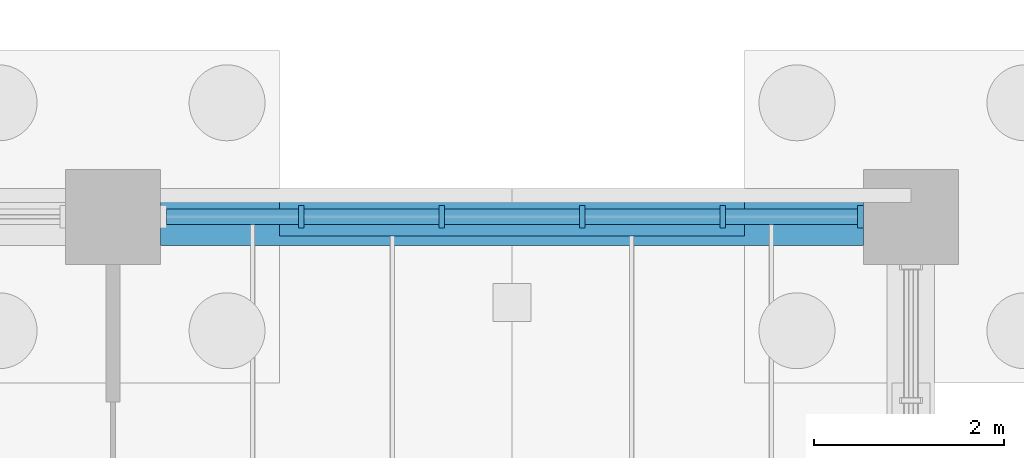
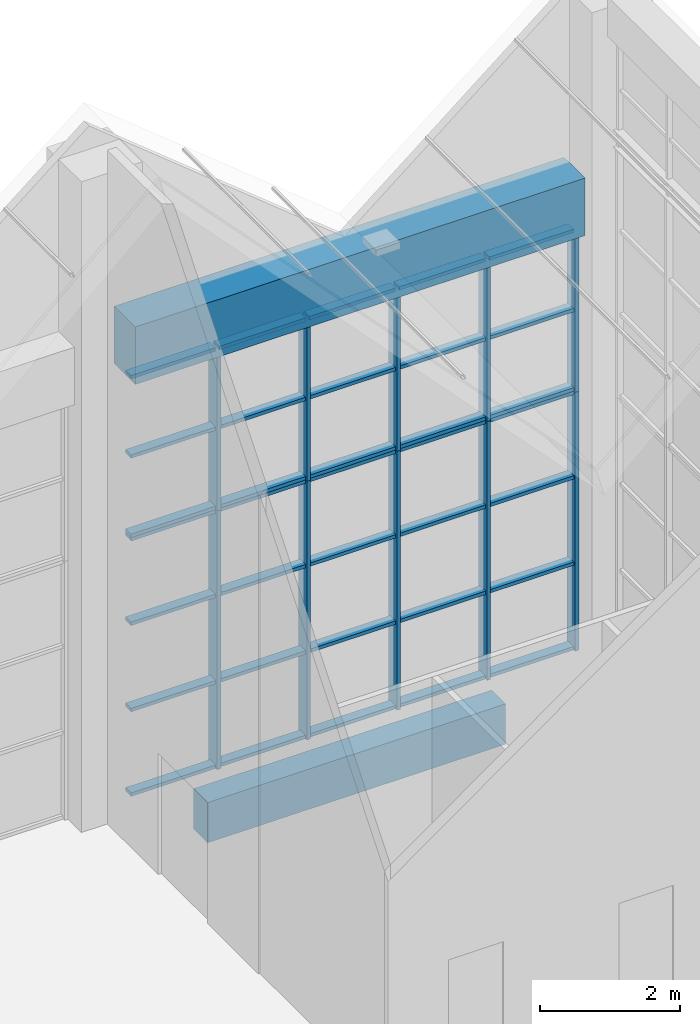
# One storey, part 58 of 138: 45 members, 2 beams, 2 elements without a shape of their own.
"""IFC4 building model written with IfcOpenShell, lengths in metres."""

from ifc_helpers import new_model, si_unit, direction, frame, origin, origin_2d, place, context, subcontext, project, spatial, rectangle, extrude, material, material_profile, profile_set, type_object, element, aggregate, save


model = new_model("IFC4")

# Units and contexts
model_context = context("Model", 3, precision=1e-05, world=origin(), true_north=direction((0.0, 1.0)))
body_context = subcontext(model_context, "Body", "Model", "MODEL_VIEW")
ifc_project = project(units=[si_unit("LENGTHUNIT", "METRE"), si_unit("AREAUNIT", "SQUARE_METRE"), si_unit("VOLUMEUNIT", "CUBIC_METRE"), si_unit("PLANEANGLEUNIT", "RADIAN"), si_unit("MASSUNIT", "GRAM", prefix="KILO")], contexts=[model_context])

# Site, building, storey
site_placement = place(None, origin())
site = spatial("IfcSite", under=ifc_project, at=site_placement, CompositionType="ELEMENT")
building_placement = place(site_placement, origin())
building = spatial("IfcBuilding", under=site, at=building_placement, Name="Yavir Park General Hospital", CompositionType="ELEMENT")
storey_placement = place(building_placement, origin())
storey = spatial("IfcBuildingStorey", under=building, at=storey_placement, Name="L00", CompositionType="ELEMENT", Elevation=0.0)

# Curtain wall, members
ifc_material_1 = material(Name="Aluminium curtain wall frame with insulated glazing", Category="aluminium")
curtain_wall_type_1 = type_object("IfcCurtainWallType", Name="Main hall glazing, lower band, 4500 high, 1400 module", PredefinedType="NOTDEFINED", material=ifc_material_1)
curtain_wall_1_placement = place(storey_placement, origin())
curtain_wall_1 = element("IfcCurtainWall", 1, at=curtain_wall_1_placement, inside=storey, type_object=curtain_wall_type_1, Name="CW33 L00-031", PredefinedType="NOTDEFINED")
ifc_material_2 = material(Name="Aluminium", Category="aluminium")
ifc_material_profile_1 = material_profile(ifc_material_2, rectangle(XDim=0.239990234375, YDim=0.06005859375, at=origin_2d()), Name="AL 60x240")
ifc_profile_set_1 = profile_set([ifc_material_profile_1], Name="Aluminium")
member_type_1 = type_object("IfcMemberType", Name="Main hall glazing, lower band, 4500 high mullion 60 x 240", PredefinedType="MULLION", material=ifc_profile_set_1)
member_1_placement = place(storey_placement, frame((102.780029296875, 67.199951171875, 0.0), z_axis=(0.0, 0.0, 1.0), x_axis=(0.0, 1.0, 0.0)))
member_1 = element("IfcMember", 2, at=member_1_placement, type_object=member_type_1, Name="CW33 mullion 2", PredefinedType="MULLION", context=body_context, shape_type="SweptSolid", body=[
    extrude(rectangle(XDim=0.239990234375, YDim=0.06005859375, at=origin_2d()), origin(), (0.0, 0.0, 1.0), 4.5),
])
member_2_placement = place(storey_placement, frame((104.260009765625, 67.199951171875, 0.0), z_axis=(0.0, 0.0, 1.0), x_axis=(0.0, 1.0, 0.0)))
member_2 = element("IfcMember", 3, at=member_2_placement, type_object=member_type_1, Name="CW33 mullion 3", PredefinedType="MULLION", context=body_context, shape_type="SweptSolid", body=[
    extrude(rectangle(XDim=0.239990234375, YDim=0.06005859375, at=origin_2d()), origin(), (0.0, 0.0, 1.0), 4.5),
])
member_3_placement = place(storey_placement, frame((105.739990234375, 67.199951171875, 0.0), z_axis=(0.0, 0.0, 1.0), x_axis=(0.0, 1.0, 0.0)))
member_3 = element("IfcMember", 4, at=member_3_placement, type_object=member_type_1, Name="CW33 mullion 4", PredefinedType="MULLION", context=body_context, shape_type="SweptSolid", body=[
    extrude(rectangle(XDim=0.239990234375, YDim=0.06005859375, at=origin_2d()), origin(), (0.0, 0.0, 1.0), 4.5),
])
member_4_placement = place(storey_placement, frame((107.219970703125, 67.199951171875, 0.0), z_axis=(0.0, 0.0, 1.0), x_axis=(0.0, 1.0, 0.0)))
member_4 = element("IfcMember", 5, at=member_4_placement, type_object=member_type_1, Name="CW33 mullion 5", PredefinedType="MULLION", context=body_context, shape_type="SweptSolid", body=[
    extrude(rectangle(XDim=0.239990234375, YDim=0.06005859375, at=origin_2d()), origin(), (0.0, 0.0, 1.0), 4.5),
])
member_5_placement = place(storey_placement, frame((108.669921875, 67.199951171875, 0.0), z_axis=(0.0, 0.0, 1.0), x_axis=(0.0, 1.0, 0.0)))
member_5 = element("IfcMember", 6, at=member_5_placement, type_object=member_type_1, Name="CW33 mullion 6", PredefinedType="MULLION", context=body_context, shape_type="SweptSolid", body=[
    extrude(rectangle(XDim=0.239990234375, YDim=0.06005859375, at=origin_2d()), origin(), (0.0, 0.0, 1.0), 4.5),
])
ifc_material_3 = material(Name="Aluminium", Category="aluminium")
ifc_material_profile_2 = material_profile(ifc_material_3, rectangle(XDim=0.159912109375, YDim=0.06005859375, at=origin_2d()), Name="AL 160x60")
ifc_profile_set_2 = profile_set([ifc_material_profile_2], Name="Aluminium")
member_type_2 = type_object("IfcMemberType", Name="Main hall glazing, lower band, 4500 high transom 60 x 160", PredefinedType="MULLION", material=ifc_profile_set_2)
member_6_placement = place(storey_placement, frame((101.360107421875, 67.199951171875, 0.030029296875), z_axis=(1.0, 0.0, 0.0), x_axis=(0.0, 1.0, 0.0)))
member_6 = element("IfcMember", 7, at=member_6_placement, type_object=member_type_2, Name="CW33 transom 1.1", PredefinedType="MULLION", context=body_context, shape_type="SweptSolid", body=[
    extrude(rectangle(XDim=0.159912109375, YDim=0.06005859375, at=origin_2d()), origin(), (0.0, 0.0, 1.0), 1.389892578125),
])
member_7_placement = place(storey_placement, frame((101.360107421875, 67.199951171875, 1.5), z_axis=(1.0, 0.0, 0.0), x_axis=(0.0, 1.0, 0.0)))
member_7 = element("IfcMember", 8, at=member_7_placement, type_object=member_type_2, Name="CW33 transom 1.2", PredefinedType="MULLION", context=body_context, shape_type="SweptSolid", body=[
    extrude(rectangle(XDim=0.159912109375, YDim=0.06005859375, at=origin_2d()), origin(), (0.0, 0.0, 1.0), 1.389892578125),
])
member_8_placement = place(storey_placement, frame((101.360107421875, 67.199951171875, 3.0), z_axis=(1.0, 0.0, 0.0), x_axis=(0.0, 1.0, 0.0)))
member_8 = element("IfcMember", 9, at=member_8_placement, type_object=member_type_2, Name="CW33 transom 1.3", PredefinedType="MULLION", context=body_context, shape_type="SweptSolid", body=[
    extrude(rectangle(XDim=0.159912109375, YDim=0.06005859375, at=origin_2d()), origin(), (0.0, 0.0, 1.0), 1.389892578125),
])
member_9_placement = place(storey_placement, frame((101.360107421875, 67.199951171875, 4.469970703125), z_axis=(1.0, 0.0, 0.0), x_axis=(0.0, 1.0, 0.0)))
member_9 = element("IfcMember", 10, at=member_9_placement, type_object=member_type_2, Name="CW33 transom 1.4", PredefinedType="MULLION", context=body_context, shape_type="SweptSolid", body=[
    extrude(rectangle(XDim=0.159912109375, YDim=0.06005859375, at=origin_2d()), origin(), (0.0, 0.0, 1.0), 1.389892578125),
])
member_10_placement = place(storey_placement, frame((102.81005859375, 67.199951171875, 0.030029296875), z_axis=(1.0, 0.0, 0.0), x_axis=(0.0, 1.0, 0.0)))
member_10 = element("IfcMember", 11, at=member_10_placement, type_object=member_type_2, Name="CW33 transom 2.1", PredefinedType="MULLION", context=body_context, shape_type="SweptSolid", body=[
    extrude(rectangle(XDim=0.159912109375, YDim=0.06005859375, at=origin_2d()), origin(), (0.0, 0.0, 1.0), 1.419921875),
])
member_11_placement = place(storey_placement, frame((102.81005859375, 67.199951171875, 1.5), z_axis=(1.0, 0.0, 0.0), x_axis=(0.0, 1.0, 0.0)))
member_11 = element("IfcMember", 12, at=member_11_placement, type_object=member_type_2, Name="CW33 transom 2.2", PredefinedType="MULLION", context=body_context, shape_type="SweptSolid", body=[
    extrude(rectangle(XDim=0.159912109375, YDim=0.06005859375, at=origin_2d()), origin(), (0.0, 0.0, 1.0), 1.419921875),
])
member_12_placement = place(storey_placement, frame((102.81005859375, 67.199951171875, 3.0), z_axis=(1.0, 0.0, 0.0), x_axis=(0.0, 1.0, 0.0)))
member_12 = element("IfcMember", 13, at=member_12_placement, type_object=member_type_2, Name="CW33 transom 2.3", PredefinedType="MULLION", context=body_context, shape_type="SweptSolid", body=[
    extrude(rectangle(XDim=0.159912109375, YDim=0.06005859375, at=origin_2d()), origin(), (0.0, 0.0, 1.0), 1.419921875),
])
member_13_placement = place(storey_placement, frame((102.81005859375, 67.199951171875, 4.469970703125), z_axis=(1.0, 0.0, 0.0), x_axis=(0.0, 1.0, 0.0)))
member_13 = element("IfcMember", 14, at=member_13_placement, type_object=member_type_2, Name="CW33 transom 2.4", PredefinedType="MULLION", context=body_context, shape_type="SweptSolid", body=[
    extrude(rectangle(XDim=0.159912109375, YDim=0.06005859375, at=origin_2d()), origin(), (0.0, 0.0, 1.0), 1.419921875),
])
member_14_placement = place(storey_placement, frame((104.2900390625, 67.199951171875, 0.030029296875), z_axis=(1.0, 0.0, 0.0), x_axis=(0.0, 1.0, 0.0)))
member_14 = element("IfcMember", 15, at=member_14_placement, type_object=member_type_2, Name="CW33 transom 3.1", PredefinedType="MULLION", context=body_context, shape_type="SweptSolid", body=[
    extrude(rectangle(XDim=0.159912109375, YDim=0.06005859375, at=origin_2d()), origin(), (0.0, 0.0, 1.0), 1.419921875),
])
member_15_placement = place(storey_placement, frame((104.2900390625, 67.199951171875, 1.5), z_axis=(1.0, 0.0, 0.0), x_axis=(0.0, 1.0, 0.0)))
member_15 = element("IfcMember", 16, at=member_15_placement, type_object=member_type_2, Name="CW33 transom 3.2", PredefinedType="MULLION", context=body_context, shape_type="SweptSolid", body=[
    extrude(rectangle(XDim=0.159912109375, YDim=0.06005859375, at=origin_2d()), origin(), (0.0, 0.0, 1.0), 1.419921875),
])
member_16_placement = place(storey_placement, frame((104.2900390625, 67.199951171875, 3.0), z_axis=(1.0, 0.0, 0.0), x_axis=(0.0, 1.0, 0.0)))
member_16 = element("IfcMember", 17, at=member_16_placement, type_object=member_type_2, Name="CW33 transom 3.3", PredefinedType="MULLION", context=body_context, shape_type="SweptSolid", body=[
    extrude(rectangle(XDim=0.159912109375, YDim=0.06005859375, at=origin_2d()), origin(), (0.0, 0.0, 1.0), 1.419921875),
])
member_17_placement = place(storey_placement, frame((104.2900390625, 67.199951171875, 4.469970703125), z_axis=(1.0, 0.0, 0.0), x_axis=(0.0, 1.0, 0.0)))
member_17 = element("IfcMember", 18, at=member_17_placement, type_object=member_type_2, Name="CW33 transom 3.4", PredefinedType="MULLION", context=body_context, shape_type="SweptSolid", body=[
    extrude(rectangle(XDim=0.159912109375, YDim=0.06005859375, at=origin_2d()), origin(), (0.0, 0.0, 1.0), 1.419921875),
])
member_18_placement = place(storey_placement, frame((105.77001953125, 67.199951171875, 0.030029296875), z_axis=(1.0, 0.0, 0.0), x_axis=(0.0, 1.0, 0.0)))
member_18 = element("IfcMember", 19, at=member_18_placement, type_object=member_type_2, Name="CW33 transom 4.1", PredefinedType="MULLION", context=body_context, shape_type="SweptSolid", body=[
    extrude(rectangle(XDim=0.159912109375, YDim=0.06005859375, at=origin_2d()), origin(), (0.0, 0.0, 1.0), 1.419921875),
])
member_19_placement = place(storey_placement, frame((105.77001953125, 67.199951171875, 1.5), z_axis=(1.0, 0.0, 0.0), x_axis=(0.0, 1.0, 0.0)))
member_19 = element("IfcMember", 20, at=member_19_placement, type_object=member_type_2, Name="CW33 transom 4.2", PredefinedType="MULLION", context=body_context, shape_type="SweptSolid", body=[
    extrude(rectangle(XDim=0.159912109375, YDim=0.06005859375, at=origin_2d()), origin(), (0.0, 0.0, 1.0), 1.419921875),
])
member_20_placement = place(storey_placement, frame((105.77001953125, 67.199951171875, 3.0), z_axis=(1.0, 0.0, 0.0), x_axis=(0.0, 1.0, 0.0)))
member_20 = element("IfcMember", 21, at=member_20_placement, type_object=member_type_2, Name="CW33 transom 4.3", PredefinedType="MULLION", context=body_context, shape_type="SweptSolid", body=[
    extrude(rectangle(XDim=0.159912109375, YDim=0.06005859375, at=origin_2d()), origin(), (0.0, 0.0, 1.0), 1.419921875),
])
member_21_placement = place(storey_placement, frame((105.77001953125, 67.199951171875, 4.469970703125), z_axis=(1.0, 0.0, 0.0), x_axis=(0.0, 1.0, 0.0)))
member_21 = element("IfcMember", 22, at=member_21_placement, type_object=member_type_2, Name="CW33 transom 4.4", PredefinedType="MULLION", context=body_context, shape_type="SweptSolid", body=[
    extrude(rectangle(XDim=0.159912109375, YDim=0.06005859375, at=origin_2d()), origin(), (0.0, 0.0, 1.0), 1.419921875),
])
member_22_placement = place(storey_placement, frame((107.25, 67.199951171875, 0.030029296875), z_axis=(1.0, 0.0, 0.0), x_axis=(0.0, 1.0, 0.0)))
member_22 = element("IfcMember", 23, at=member_22_placement, type_object=member_type_2, Name="CW33 transom 5.1", PredefinedType="MULLION", context=body_context, shape_type="SweptSolid", body=[
    extrude(rectangle(XDim=0.159912109375, YDim=0.06005859375, at=origin_2d()), origin(), (0.0, 0.0, 1.0), 1.389892578125),
])
member_23_placement = place(storey_placement, frame((107.25, 67.199951171875, 1.5), z_axis=(1.0, 0.0, 0.0), x_axis=(0.0, 1.0, 0.0)))
member_23 = element("IfcMember", 24, at=member_23_placement, type_object=member_type_2, Name="CW33 transom 5.2", PredefinedType="MULLION", context=body_context, shape_type="SweptSolid", body=[
    extrude(rectangle(XDim=0.159912109375, YDim=0.06005859375, at=origin_2d()), origin(), (0.0, 0.0, 1.0), 1.389892578125),
])
member_24_placement = place(storey_placement, frame((107.25, 67.199951171875, 3.0), z_axis=(1.0, 0.0, 0.0), x_axis=(0.0, 1.0, 0.0)))
member_24 = element("IfcMember", 25, at=member_24_placement, type_object=member_type_2, Name="CW33 transom 5.3", PredefinedType="MULLION", context=body_context, shape_type="SweptSolid", body=[
    extrude(rectangle(XDim=0.159912109375, YDim=0.06005859375, at=origin_2d()), origin(), (0.0, 0.0, 1.0), 1.389892578125),
])
member_25_placement = place(storey_placement, frame((107.25, 67.199951171875, 4.469970703125), z_axis=(1.0, 0.0, 0.0), x_axis=(0.0, 1.0, 0.0)))
member_25 = element("IfcMember", 26, at=member_25_placement, type_object=member_type_2, Name="CW33 transom 5.4", PredefinedType="MULLION", context=body_context, shape_type="SweptSolid", body=[
    extrude(rectangle(XDim=0.159912109375, YDim=0.06005859375, at=origin_2d()), origin(), (0.0, 0.0, 1.0), 1.389892578125),
])
aggregate(curtain_wall_1, [member_1, member_2, member_3, member_4, member_5, member_6, member_7, member_8, member_9, member_10, member_11, member_12, member_13, member_14, member_15, member_16, member_17, member_18, member_19, member_20, member_21, member_22, member_23, member_24, member_25])

ifc_material_4 = material(Name="Aluminium curtain wall frame with insulated glazing", Category="aluminium")
curtain_wall_type_2 = type_object("IfcCurtainWallType", Name="Main hall glazing, upper band, 2817 high, 1400 module", PredefinedType="NOTDEFINED", material=ifc_material_4)
curtain_wall_2_placement = place(storey_placement, origin())
curtain_wall_2 = element("IfcCurtainWall", 27, at=curtain_wall_2_placement, inside=storey, type_object=curtain_wall_type_2, Name="CW34 L00-032", PredefinedType="NOTDEFINED")
ifc_material_5 = material(Name="Aluminium", Category="aluminium")
ifc_material_profile_3 = material_profile(ifc_material_5, rectangle(XDim=0.239990234375, YDim=0.06005859375, at=origin_2d()), Name="AL 60x240")
ifc_profile_set_3 = profile_set([ifc_material_profile_3], Name="Aluminium")
member_type_3 = type_object("IfcMemberType", Name="Main hall glazing, upper band, 2817 high mullion 60 x 240", PredefinedType="MULLION", material=ifc_profile_set_3)
member_26_placement = place(storey_placement, frame((102.780029296875, 67.199951171875, 4.5), z_axis=(0.0, 0.0, 1.0), x_axis=(0.0, 1.0, 0.0)))
member_26 = element("IfcMember", 28, at=member_26_placement, type_object=member_type_3, Name="CW34 mullion 2", PredefinedType="MULLION", context=body_context, shape_type="SweptSolid", body=[
    extrude(rectangle(XDim=0.239990234375, YDim=0.06005859375, at=origin_2d()), origin(), (0.0, 0.0, 1.0), 2.81689453125),
])
member_27_placement = place(storey_placement, frame((104.260009765625, 67.199951171875, 4.5), z_axis=(0.0, 0.0, 1.0), x_axis=(0.0, 1.0, 0.0)))
member_27 = element("IfcMember", 29, at=member_27_placement, type_object=member_type_3, Name="CW34 mullion 3", PredefinedType="MULLION", context=body_context, shape_type="SweptSolid", body=[
    extrude(rectangle(XDim=0.239990234375, YDim=0.06005859375, at=origin_2d()), origin(), (0.0, 0.0, 1.0), 2.81689453125),
])
member_28_placement = place(storey_placement, frame((105.739990234375, 67.199951171875, 4.5), z_axis=(0.0, 0.0, 1.0), x_axis=(0.0, 1.0, 0.0)))
member_28 = element("IfcMember", 30, at=member_28_placement, type_object=member_type_3, Name="CW34 mullion 4", PredefinedType="MULLION", context=body_context, shape_type="SweptSolid", body=[
    extrude(rectangle(XDim=0.239990234375, YDim=0.06005859375, at=origin_2d()), origin(), (0.0, 0.0, 1.0), 2.81689453125),
])
member_29_placement = place(storey_placement, frame((107.219970703125, 67.199951171875, 4.5), z_axis=(0.0, 0.0, 1.0), x_axis=(0.0, 1.0, 0.0)))
member_29 = element("IfcMember", 31, at=member_29_placement, type_object=member_type_3, Name="CW34 mullion 5", PredefinedType="MULLION", context=body_context, shape_type="SweptSolid", body=[
    extrude(rectangle(XDim=0.239990234375, YDim=0.06005859375, at=origin_2d()), origin(), (0.0, 0.0, 1.0), 2.81689453125),
])
member_30_placement = place(storey_placement, frame((108.669921875, 67.199951171875, 4.5), z_axis=(0.0, 0.0, 1.0), x_axis=(0.0, 1.0, 0.0)))
member_30 = element("IfcMember", 32, at=member_30_placement, type_object=member_type_3, Name="CW34 mullion 6", PredefinedType="MULLION", context=body_context, shape_type="SweptSolid", body=[
    extrude(rectangle(XDim=0.239990234375, YDim=0.06005859375, at=origin_2d()), origin(), (0.0, 0.0, 1.0), 2.81689453125),
])
ifc_material_6 = material(Name="Aluminium", Category="aluminium")
ifc_material_profile_4 = material_profile(ifc_material_6, rectangle(XDim=0.159912109375, YDim=0.06005859375, at=origin_2d()), Name="AL 160x60")
ifc_profile_set_4 = profile_set([ifc_material_profile_4], Name="Aluminium")
member_type_4 = type_object("IfcMemberType", Name="Main hall glazing, upper band, 2817 high transom 60 x 160", PredefinedType="MULLION", material=ifc_profile_set_4)
member_31_placement = place(storey_placement, frame((101.360107421875, 67.199951171875, 4.530029296875), z_axis=(1.0, 0.0, 0.0), x_axis=(0.0, 1.0, 0.0)))
member_31 = element("IfcMember", 33, at=member_31_placement, type_object=member_type_4, Name="CW34 transom 1.1", PredefinedType="MULLION", context=body_context, shape_type="SweptSolid", body=[
    extrude(rectangle(XDim=0.159912109375, YDim=0.06005859375, at=origin_2d()), origin(), (0.0, 0.0, 1.0), 1.389892578125),
])
member_32_placement = place(storey_placement, frame((101.360107421875, 67.199951171875, 5.908447265625), z_axis=(1.0, 0.0, 0.0), x_axis=(0.0, 1.0, 0.0)))
member_32 = element("IfcMember", 34, at=member_32_placement, type_object=member_type_4, Name="CW34 transom 1.2", PredefinedType="MULLION", context=body_context, shape_type="SweptSolid", body=[
    extrude(rectangle(XDim=0.159912109375, YDim=0.06005859375, at=origin_2d()), origin(), (0.0, 0.0, 1.0), 1.389892578125),
])
member_33_placement = place(storey_placement, frame((101.360107421875, 67.199951171875, 7.287109375), z_axis=(1.0, 0.0, 0.0), x_axis=(0.0, 1.0, 0.0)))
member_33 = element("IfcMember", 35, at=member_33_placement, type_object=member_type_4, Name="CW34 transom 1.3", PredefinedType="MULLION", context=body_context, shape_type="SweptSolid", body=[
    extrude(rectangle(XDim=0.159912109375, YDim=0.06005859375, at=origin_2d()), origin(), (0.0, 0.0, 1.0), 1.389892578125),
])
member_34_placement = place(storey_placement, frame((102.81005859375, 67.199951171875, 4.530029296875), z_axis=(1.0, 0.0, 0.0), x_axis=(0.0, 1.0, 0.0)))
member_34 = element("IfcMember", 36, at=member_34_placement, type_object=member_type_4, Name="CW34 transom 2.1", PredefinedType="MULLION", context=body_context, shape_type="SweptSolid", body=[
    extrude(rectangle(XDim=0.159912109375, YDim=0.06005859375, at=origin_2d()), origin(), (0.0, 0.0, 1.0), 1.419921875),
])
member_35_placement = place(storey_placement, frame((102.81005859375, 67.199951171875, 5.908447265625), z_axis=(1.0, 0.0, 0.0), x_axis=(0.0, 1.0, 0.0)))
member_35 = element("IfcMember", 37, at=member_35_placement, type_object=member_type_4, Name="CW34 transom 2.2", PredefinedType="MULLION", context=body_context, shape_type="SweptSolid", body=[
    extrude(rectangle(XDim=0.159912109375, YDim=0.06005859375, at=origin_2d()), origin(), (0.0, 0.0, 1.0), 1.419921875),
])
member_36_placement = place(storey_placement, frame((102.81005859375, 67.199951171875, 7.287109375), z_axis=(1.0, 0.0, 0.0), x_axis=(0.0, 1.0, 0.0)))
member_36 = element("IfcMember", 38, at=member_36_placement, type_object=member_type_4, Name="CW34 transom 2.3", PredefinedType="MULLION", context=body_context, shape_type="SweptSolid", body=[
    extrude(rectangle(XDim=0.159912109375, YDim=0.06005859375, at=origin_2d()), origin(), (0.0, 0.0, 1.0), 1.419921875),
])
member_37_placement = place(storey_placement, frame((104.2900390625, 67.199951171875, 4.530029296875), z_axis=(1.0, 0.0, 0.0), x_axis=(0.0, 1.0, 0.0)))
member_37 = element("IfcMember", 39, at=member_37_placement, type_object=member_type_4, Name="CW34 transom 3.1", PredefinedType="MULLION", context=body_context, shape_type="SweptSolid", body=[
    extrude(rectangle(XDim=0.159912109375, YDim=0.06005859375, at=origin_2d()), origin(), (0.0, 0.0, 1.0), 1.419921875),
])
member_38_placement = place(storey_placement, frame((104.2900390625, 67.199951171875, 5.908447265625), z_axis=(1.0, 0.0, 0.0), x_axis=(0.0, 1.0, 0.0)))
member_38 = element("IfcMember", 40, at=member_38_placement, type_object=member_type_4, Name="CW34 transom 3.2", PredefinedType="MULLION", context=body_context, shape_type="SweptSolid", body=[
    extrude(rectangle(XDim=0.159912109375, YDim=0.06005859375, at=origin_2d()), origin(), (0.0, 0.0, 1.0), 1.419921875),
])
member_39_placement = place(storey_placement, frame((104.2900390625, 67.199951171875, 7.287109375), z_axis=(1.0, 0.0, 0.0), x_axis=(0.0, 1.0, 0.0)))
member_39 = element("IfcMember", 41, at=member_39_placement, type_object=member_type_4, Name="CW34 transom 3.3", PredefinedType="MULLION", context=body_context, shape_type="SweptSolid", body=[
    extrude(rectangle(XDim=0.159912109375, YDim=0.06005859375, at=origin_2d()), origin(), (0.0, 0.0, 1.0), 1.419921875),
])
member_40_placement = place(storey_placement, frame((105.77001953125, 67.199951171875, 4.530029296875), z_axis=(1.0, 0.0, 0.0), x_axis=(0.0, 1.0, 0.0)))
member_40 = element("IfcMember", 42, at=member_40_placement, type_object=member_type_4, Name="CW34 transom 4.1", PredefinedType="MULLION", context=body_context, shape_type="SweptSolid", body=[
    extrude(rectangle(XDim=0.159912109375, YDim=0.06005859375, at=origin_2d()), origin(), (0.0, 0.0, 1.0), 1.419921875),
])
member_41_placement = place(storey_placement, frame((105.77001953125, 67.199951171875, 5.908447265625), z_axis=(1.0, 0.0, 0.0), x_axis=(0.0, 1.0, 0.0)))
member_41 = element("IfcMember", 43, at=member_41_placement, type_object=member_type_4, Name="CW34 transom 4.2", PredefinedType="MULLION", context=body_context, shape_type="SweptSolid", body=[
    extrude(rectangle(XDim=0.159912109375, YDim=0.06005859375, at=origin_2d()), origin(), (0.0, 0.0, 1.0), 1.419921875),
])
member_42_placement = place(storey_placement, frame((105.77001953125, 67.199951171875, 7.287109375), z_axis=(1.0, 0.0, 0.0), x_axis=(0.0, 1.0, 0.0)))
member_42 = element("IfcMember", 44, at=member_42_placement, type_object=member_type_4, Name="CW34 transom 4.3", PredefinedType="MULLION", context=body_context, shape_type="SweptSolid", body=[
    extrude(rectangle(XDim=0.159912109375, YDim=0.06005859375, at=origin_2d()), origin(), (0.0, 0.0, 1.0), 1.419921875),
])
member_43_placement = place(storey_placement, frame((107.25, 67.199951171875, 4.530029296875), z_axis=(1.0, 0.0, 0.0), x_axis=(0.0, 1.0, 0.0)))
member_43 = element("IfcMember", 45, at=member_43_placement, type_object=member_type_4, Name="CW34 transom 5.1", PredefinedType="MULLION", context=body_context, shape_type="SweptSolid", body=[
    extrude(rectangle(XDim=0.159912109375, YDim=0.06005859375, at=origin_2d()), origin(), (0.0, 0.0, 1.0), 1.389892578125),
])
member_44_placement = place(storey_placement, frame((107.25, 67.199951171875, 5.908447265625), z_axis=(1.0, 0.0, 0.0), x_axis=(0.0, 1.0, 0.0)))
member_44 = element("IfcMember", 46, at=member_44_placement, type_object=member_type_4, Name="CW34 transom 5.2", PredefinedType="MULLION", context=body_context, shape_type="SweptSolid", body=[
    extrude(rectangle(XDim=0.159912109375, YDim=0.06005859375, at=origin_2d()), origin(), (0.0, 0.0, 1.0), 1.389892578125),
])
member_45_placement = place(storey_placement, frame((107.25, 67.199951171875, 7.287109375), z_axis=(1.0, 0.0, 0.0), x_axis=(0.0, 1.0, 0.0)))
member_45 = element("IfcMember", 47, at=member_45_placement, type_object=member_type_4, Name="CW34 transom 5.3", PredefinedType="MULLION", context=body_context, shape_type="SweptSolid", body=[
    extrude(rectangle(XDim=0.159912109375, YDim=0.06005859375, at=origin_2d()), origin(), (0.0, 0.0, 1.0), 1.389892578125),
])
aggregate(curtain_wall_2, [member_26, member_27, member_28, member_29, member_30, member_31, member_32, member_33, member_34, member_35, member_36, member_37, member_38, member_39, member_40, member_41, member_42, member_43, member_44, member_45])

# Beams
ifc_material_7 = material(Name="Concrete C35/45", Category="concrete")
ifc_material_profile_5 = material_profile(ifc_material_7, rectangle(XDim=0.39990234375, YDim=0.699951171875, at=origin_2d()), Name="RC400x700")
ifc_profile_set_5 = profile_set([ifc_material_profile_5], Name="Concrete C35/45")
beam_type_1 = type_object("IfcBeamType", Name="RC BEAM 400x700 ground beam", PredefinedType="BEAM", material=ifc_profile_set_5)
beam_1_placement = place(storey_placement, frame((102.550048828125, 67.199951171875, -0.800048828125), z_axis=(1.0, 0.0, 0.0), x_axis=(0.0, 1.0, 0.0)))
element("IfcBeam", 48, at=beam_1_placement, inside=storey, type_object=beam_type_1, Name="B:GND:L00:13J:L00:14J", PredefinedType="BEAM", context=body_context, shape_type="SweptSolid", body=[
    extrude(rectangle(XDim=0.39990234375, YDim=0.699951171875, at=origin_2d()), origin(), (0.0, 0.0, 1.0), 4.89990234375),
])
ifc_material_8 = material(Name="Concrete C35/45", Category="concrete")
ifc_material_profile_6 = material_profile(ifc_material_8, rectangle(XDim=0.60009765625, YDim=1.0, at=origin_2d()), Name="RC600x1000")
ifc_profile_set_6 = profile_set([ifc_material_profile_6], Name="Concrete C35/45")
beam_type_2 = type_object("IfcBeamType", Name="RC BEAM 600x1000 hall end girder", PredefinedType="BEAM", material=ifc_profile_set_6)
beam_2_placement = place(storey_placement, frame((101.300048828125, 67.199951171875, 7.81689453125), z_axis=(1.0, 0.0, 0.0), x_axis=(0.0, 1.0, 0.0)))
element("IfcBeam", 49, at=beam_2_placement, inside=storey, type_object=beam_type_2, Name="B:HALL:END:N3", PredefinedType="BEAM", context=body_context, shape_type="SweptSolid", body=[
    extrude(rectangle(XDim=0.60009765625, YDim=1.0, at=origin_2d()), origin(), (0.0, 0.0, 1.0), 7.39990234375),
])

save(model, "model.ifc")
